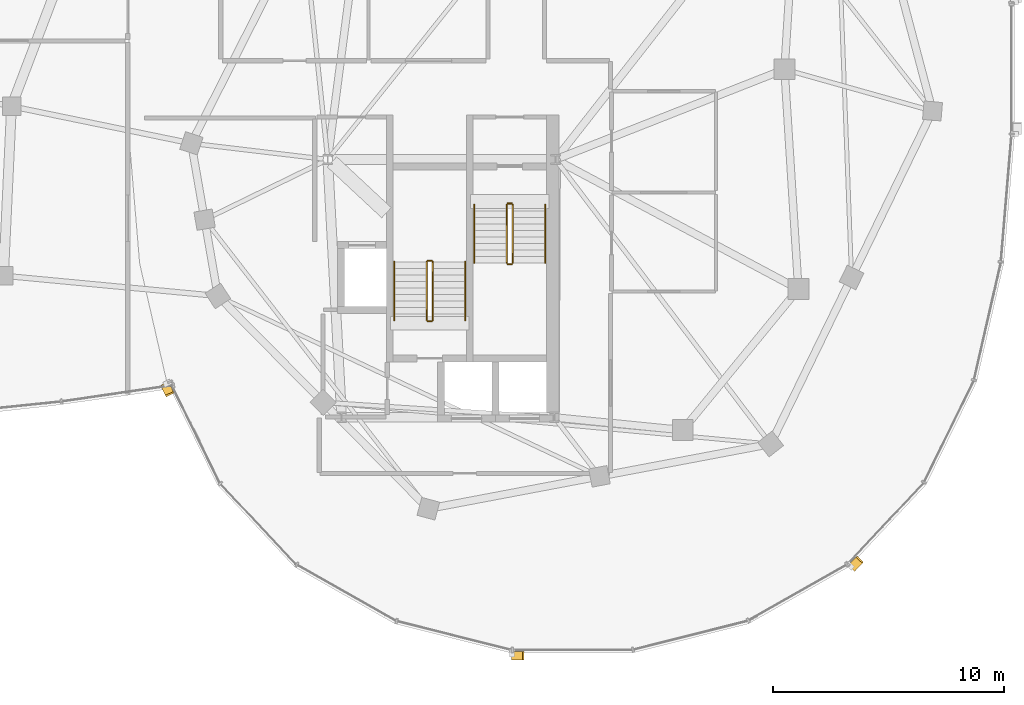
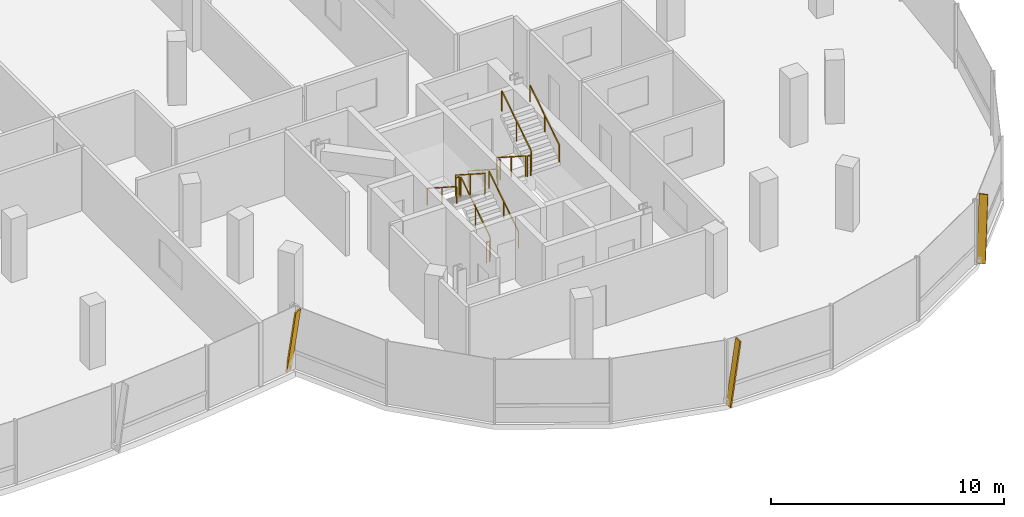
# One storey, part 24 of 25: 12 railings, 3 shading devices.
"""IFC4 building model written with IfcOpenShell, lengths in metres."""

from ifc_helpers import new_model, si_unit, direction, frame, origin, origin_2d, place, context, subcontext, project, spatial, rectangle, extrude, material, material_profile, profile_set, type_object, element, save


model = new_model("IFC4")

# Units and contexts
model_context = context("Model", 3, precision=1e-05, world=origin(), true_north=direction((0.0, 1.0)))
body_context = subcontext(model_context, "Body", "Model", "MODEL_VIEW")
ifc_project = project(units=[si_unit("LENGTHUNIT", "METRE"), si_unit("AREAUNIT", "SQUARE_METRE"), si_unit("VOLUMEUNIT", "CUBIC_METRE"), si_unit("PLANEANGLEUNIT", "RADIAN"), si_unit("MASSUNIT", "GRAM", prefix="KILO"), si_unit("THERMODYNAMICTEMPERATUREUNIT", "KELVIN"), si_unit("POWERUNIT", "WATT")], contexts=[model_context])

# Site, building, storey
site_placement = place(None, origin())
site = spatial("IfcSite", under=ifc_project, at=site_placement, CompositionType="ELEMENT")
building_placement = place(site_placement, origin())
building = spatial("IfcBuilding", under=site, at=building_placement, Name="Cundina Bronze Exchange", CompositionType="ELEMENT")
storey_placement = place(building_placement, frame((0.0, 0.0, 272.0)))
storey = spatial("IfcBuildingStorey", under=building, at=storey_placement, Name="L72", CompositionType="ELEMENT", Elevation=272.0)

# Railings
ifc_material_1 = material(Name="Steel ASTM A36 Painted", Category="steel")
railing_type_1 = type_object("IfcRailingType", Name="RLG-HND-900", PredefinedType="HANDRAIL", material=ifc_material_1)
railing_1_placement = place(storey_placement, frame((27.7900390625, -5.85009765625, 0.179931640625)))
element("IfcRailing", 1, at=railing_1_placement, inside=storey, type_object=railing_type_1, Name="L72 ST-E1 stair handrail 1", PredefinedType="HANDRAIL", context=body_context, shape_type="SweptSolid", body=[
    extrude(rectangle(XDim=0.048095703125, YDim=0.048095703125, at=origin_2d()), frame((0.0, 0.0, 0.8759765625), z_axis=(0.0, -0.841162588446, 0.540782303519), x_axis=(1.0, 0.0, 0.0)), (0.0, 0.0, 1.0), 2.995849609375),
    extrude(rectangle(XDim=0.0419921875, YDim=0.0419921875, at=origin_2d()), origin(), (0.0, 0.0, 1.0), 0.851806640625),
    extrude(rectangle(XDim=0.0419921875, YDim=0.0419921875, at=origin_2d()), frame((0.0, -1.260009765625, 0.81005859375)), (0.0, 0.0, 1.0), 0.851806640625),
    extrude(rectangle(XDim=0.0419921875, YDim=0.0419921875, at=origin_2d()), frame((0.0, -2.52001953125, 1.6201171875)), (0.0, 0.0, 1.0), 0.851806640625),
])
for number, where, name in (
    (2, (30.85009765625, -8.3701171875, 1.97998046875), "L72 ST-E1 stair handrail 2"),
    (3, (27.389892578125, -10.85009765625, 0.179931640625), "L72 ST-E2 stair handrail 1"),
):
    element("IfcRailing", number, at=place(storey_placement, frame(where)), inside=storey, type_object=railing_type_1, Name=name, PredefinedType="HANDRAIL", context=body_context, shape_type="SweptSolid", body=[
        extrude(rectangle(XDim=0.048095703125, YDim=0.048095703125, at=origin_2d()), frame((0.0, 0.0, 0.8759765625), z_axis=(0.0, 0.841162588446, 0.540782303519), x_axis=(-1.0, 0.0, 0.0)), (0.0, 0.0, 1.0), 2.995849609375),
        extrude(rectangle(XDim=0.0419921875, YDim=0.0419921875, at=origin_2d()), origin(), (0.0, 0.0, 1.0), 0.851806640625),
        extrude(rectangle(XDim=0.0419921875, YDim=0.0419921875, at=origin_2d()), frame((0.0, 1.260009765625, 0.81005859375)), (0.0, 0.0, 1.0), 0.851806640625),
        extrude(rectangle(XDim=0.0419921875, YDim=0.0419921875, at=origin_2d()), frame((0.0, 2.52001953125, 1.6201171875)), (0.0, 0.0, 1.0), 0.851806640625),
    ])
railing_2_placement = place(storey_placement, frame((24.330078125, -8.330078125, 1.97998046875)))
element("IfcRailing", 4, at=railing_2_placement, inside=storey, type_object=railing_type_1, Name="L72 ST-E2 stair handrail 2", PredefinedType="HANDRAIL", context=body_context, shape_type="SweptSolid", body=[
    extrude(rectangle(XDim=0.048095703125, YDim=0.048095703125, at=origin_2d()), frame((0.0, 0.0, 0.8759765625), z_axis=(0.0, -0.841162588446, 0.540782303519), x_axis=(1.0, 0.0, 0.0)), (0.0, 0.0, 1.0), 2.995849609375),
    extrude(rectangle(XDim=0.0419921875, YDim=0.0419921875, at=origin_2d()), origin(), (0.0, 0.0, 1.0), 0.851806640625),
    extrude(rectangle(XDim=0.0419921875, YDim=0.0419921875, at=origin_2d()), frame((0.0, -1.260009765625, 0.81005859375)), (0.0, 0.0, 1.0), 0.851806640625),
    extrude(rectangle(XDim=0.0419921875, YDim=0.0419921875, at=origin_2d()), frame((0.0, -2.52001953125, 1.6201171875)), (0.0, 0.0, 1.0), 0.851806640625),
])
railing_type_2 = type_object("IfcRailingType", Name="RLG-STG-1100", PredefinedType="GUARDRAIL", material=ifc_material_1)
railing_3_placement = place(storey_placement, frame((29.18994140625, -5.85009765625, 0.179931640625)))
element("IfcRailing", 5, at=railing_3_placement, inside=storey, type_object=railing_type_2, Name="L72 ST-E1 stair guard 1", PredefinedType="GUARDRAIL", context=body_context, shape_type="SweptSolid", body=[
    extrude(rectangle(XDim=0.048095703125, YDim=0.048095703125, at=origin_2d()), frame((0.0, 0.0, 1.076171875), z_axis=(0.0, -0.841162588446, 0.540782303519), x_axis=(1.0, 0.0, 0.0)), (0.0, 0.0, 1.0), 2.995849609375),
    extrude(rectangle(XDim=0.0419921875, YDim=0.0419921875, at=origin_2d()), origin(), (0.0, 0.0, 1.0), 1.052001953125),
    extrude(rectangle(XDim=0.0419921875, YDim=0.0419921875, at=origin_2d()), frame((0.0, -1.260009765625, 0.81005859375)), (0.0, 0.0, 1.0), 1.052001953125),
    extrude(rectangle(XDim=0.0419921875, YDim=0.0419921875, at=origin_2d()), frame((0.0, -2.52001953125, 1.6201171875)), (0.0, 0.0, 1.0), 1.052001953125),
])
railing_4_placement = place(storey_placement, frame((29.239990234375, -8.419921875, 1.800048828125)))
element("IfcRailing", 6, at=railing_4_placement, inside=storey, type_object=railing_type_2, Name="L72 ST-E1 stair guard 2", PredefinedType="GUARDRAIL", context=body_context, shape_type="SweptSolid", body=[
    extrude(rectangle(XDim=0.048095703125, YDim=0.048095703125, at=origin_2d()), frame((0.0, 0.0, 1.076171875), z_axis=(1.0, 0.0, 0.0), x_axis=(0.0, 1.0, 0.0)), (0.0, 0.0, 1.0), 0.159912109375),
    extrude(rectangle(XDim=0.0419921875, YDim=0.0419921875, at=origin_2d()), origin(), (0.0, 0.0, 1.0), 1.052001953125),
    extrude(rectangle(XDim=0.0419921875, YDim=0.0419921875, at=origin_2d()), frame((0.159912109375, 0.0, 0.0)), (0.0, 0.0, 1.0), 1.052001953125),
])
railing_5_placement = place(storey_placement, frame((29.449951171875, -8.3701171875, 1.97998046875)))
element("IfcRailing", 7, at=railing_5_placement, inside=storey, type_object=railing_type_2, Name="L72 ST-E1 stair guard 3", PredefinedType="GUARDRAIL", context=body_context, shape_type="SweptSolid", body=[
    extrude(rectangle(XDim=0.048095703125, YDim=0.048095703125, at=origin_2d()), frame((0.0, 0.0, 1.076171875), z_axis=(0.0, 0.841162588446, 0.540782303519), x_axis=(-1.0, 0.0, 0.0)), (0.0, 0.0, 1.0), 2.995849609375),
    extrude(rectangle(XDim=0.0419921875, YDim=0.0419921875, at=origin_2d()), origin(), (0.0, 0.0, 1.0), 1.052001953125),
    extrude(rectangle(XDim=0.0419921875, YDim=0.0419921875, at=origin_2d()), frame((0.0, 1.260009765625, 0.81005859375)), (0.0, 0.0, 1.0), 1.052001953125),
    extrude(rectangle(XDim=0.0419921875, YDim=0.0419921875, at=origin_2d()), frame((0.0, 2.52001953125, 1.6201171875)), (0.0, 0.0, 1.0), 1.052001953125),
])
railing_6_placement = place(storey_placement, frame((29.239990234375, -5.800048828125, 0.0)))
element("IfcRailing", 8, at=railing_6_placement, inside=storey, type_object=railing_type_2, Name="L72 ST-E1 stair guard 4", PredefinedType="GUARDRAIL", context=body_context, shape_type="SweptSolid", body=[
    extrude(rectangle(XDim=0.048095703125, YDim=0.048095703125, at=origin_2d()), frame((0.0, 0.0, 1.076171875), z_axis=(1.0, 0.0, 0.0), x_axis=(0.0, 1.0, 0.0)), (0.0, 0.0, 1.0), 0.159912109375),
    extrude(rectangle(XDim=0.0419921875, YDim=0.0419921875, at=origin_2d()), origin(), (0.0, 0.0, 1.0), 1.052001953125),
    extrude(rectangle(XDim=0.0419921875, YDim=0.0419921875, at=origin_2d()), frame((0.159912109375, 0.0, 0.0)), (0.0, 0.0, 1.0), 1.052001953125),
])
railing_7_placement = place(storey_placement, frame((25.989990234375, -10.85009765625, 0.179931640625)))
element("IfcRailing", 9, at=railing_7_placement, inside=storey, type_object=railing_type_2, Name="L72 ST-E2 stair guard 1", PredefinedType="GUARDRAIL", context=body_context, shape_type="SweptSolid", body=[
    extrude(rectangle(XDim=0.048095703125, YDim=0.048095703125, at=origin_2d()), frame((0.0, 0.0, 1.076171875), z_axis=(0.0, 0.841162588446, 0.540782303519), x_axis=(-1.0, 0.0, 0.0)), (0.0, 0.0, 1.0), 2.995849609375),
    extrude(rectangle(XDim=0.0419921875, YDim=0.0419921875, at=origin_2d()), origin(), (0.0, 0.0, 1.0), 1.052001953125),
    extrude(rectangle(XDim=0.0419921875, YDim=0.0419921875, at=origin_2d()), frame((0.0, 1.260009765625, 0.81005859375)), (0.0, 0.0, 1.0), 1.052001953125),
    extrude(rectangle(XDim=0.0419921875, YDim=0.0419921875, at=origin_2d()), frame((0.0, 2.52001953125, 1.6201171875)), (0.0, 0.0, 1.0), 1.052001953125),
])
railing_8_placement = place(storey_placement, frame((25.93994140625, -8.280029296875, 1.800048828125)))
element("IfcRailing", 10, at=railing_8_placement, inside=storey, type_object=railing_type_2, Name="L72 ST-E2 stair guard 2", PredefinedType="GUARDRAIL", context=body_context, shape_type="SweptSolid", body=[
    extrude(rectangle(XDim=0.048095703125, YDim=0.048095703125, at=origin_2d()), frame((0.0, 0.0, 1.076171875), z_axis=(-1.0, 0.0, 0.0), x_axis=(0.0, -1.0, 0.0)), (0.0, 0.0, 1.0), 0.159912109375),
    extrude(rectangle(XDim=0.0419921875, YDim=0.0419921875, at=origin_2d()), origin(), (0.0, 0.0, 1.0), 1.052001953125),
    extrude(rectangle(XDim=0.0419921875, YDim=0.0419921875, at=origin_2d()), frame((-0.159912109375, 0.0, 0.0)), (0.0, 0.0, 1.0), 1.052001953125),
])
railing_9_placement = place(storey_placement, frame((25.72998046875, -8.330078125, 1.97998046875)))
element("IfcRailing", 11, at=railing_9_placement, inside=storey, type_object=railing_type_2, Name="L72 ST-E2 stair guard 3", PredefinedType="GUARDRAIL", context=body_context, shape_type="SweptSolid", body=[
    extrude(rectangle(XDim=0.048095703125, YDim=0.048095703125, at=origin_2d()), frame((0.0, 0.0, 1.076171875), z_axis=(0.0, -0.841162588446, 0.540782303519), x_axis=(1.0, 0.0, 0.0)), (0.0, 0.0, 1.0), 2.995849609375),
    extrude(rectangle(XDim=0.0419921875, YDim=0.0419921875, at=origin_2d()), origin(), (0.0, 0.0, 1.0), 1.052001953125),
    extrude(rectangle(XDim=0.0419921875, YDim=0.0419921875, at=origin_2d()), frame((0.0, -1.260009765625, 0.81005859375)), (0.0, 0.0, 1.0), 1.052001953125),
    extrude(rectangle(XDim=0.0419921875, YDim=0.0419921875, at=origin_2d()), frame((0.0, -2.52001953125, 1.6201171875)), (0.0, 0.0, 1.0), 1.052001953125),
])
railing_10_placement = place(storey_placement, frame((25.93994140625, -10.89990234375, 0.0)))
element("IfcRailing", 12, at=railing_10_placement, inside=storey, type_object=railing_type_2, Name="L72 ST-E2 stair guard 4", PredefinedType="GUARDRAIL", context=body_context, shape_type="SweptSolid", body=[
    extrude(rectangle(XDim=0.048095703125, YDim=0.048095703125, at=origin_2d()), frame((0.0, 0.0, 1.076171875), z_axis=(-1.0, 0.0, 0.0), x_axis=(0.0, -1.0, 0.0)), (0.0, 0.0, 1.0), 0.159912109375),
    extrude(rectangle(XDim=0.0419921875, YDim=0.0419921875, at=origin_2d()), origin(), (0.0, 0.0, 1.0), 1.052001953125),
    extrude(rectangle(XDim=0.0419921875, YDim=0.0419921875, at=origin_2d()), frame((-0.159912109375, 0.0, 0.0)), (0.0, 0.0, 1.0), 1.052001953125),
])

# Shading devices
ifc_material_2 = material(Name="Anodised Bronze Aluminium 6063-T6", Category="aluminium")
ifc_material_profile = material_profile(ifc_material_2, rectangle(XDim=0.070068359375, YDim=0.3798828125, at=origin_2d()), Name="FIN70X380", Category="aluminium")
ifc_profile_set = profile_set([ifc_material_profile], Name="Anodised Bronze Aluminium 6063-T6")
shading_device_type = type_object("IfcShadingDeviceType", Name="SHD-FIN-BRZ380", PredefinedType="USERDEFINED", material=ifc_profile_set)
for number, where, z_axis, x_axis, name in (
    (13, (14.406494140625, -13.614013671875, 0.02001953125), (0.063400368732, -0.129216686851, 0.989587510574), (-0.435900311632, 0.888411143223, 0.143932480407), "L72 Diagonal Bronze Solar Fin 1"),
    (14, (29.423583984375, -25.360107421875, 0.02001953125), (0.143932024572, 0.0, 0.989587576874), (-0.989587576874, 0.0, 0.143932024572), "L72 Diagonal Bronze Solar Fin 5"),
    (15, (44.122314453125, -21.55078125, 0.02001953125), (0.098541444371, 0.10491076507, 0.989587446926), (-0.677505727677, -0.721296959704, 0.143932918008), "L72 Diagonal Bronze Solar Fin 1"),
):
    element("IfcShadingDevice", number, at=place(storey_placement, frame(where, z_axis=z_axis, x_axis=x_axis)), inside=storey, type_object=shading_device_type, Name=name, ObjectType="FIN", PredefinedType="USERDEFINED", context=body_context, shape_type="SweptSolid", body=[
        extrude(rectangle(XDim=0.070068359375, YDim=0.3798828125, at=origin_2d()), origin(), (0.0, 0.0, 1.0), 3.334716796875),
    ])

save(model, "model.ifc")
